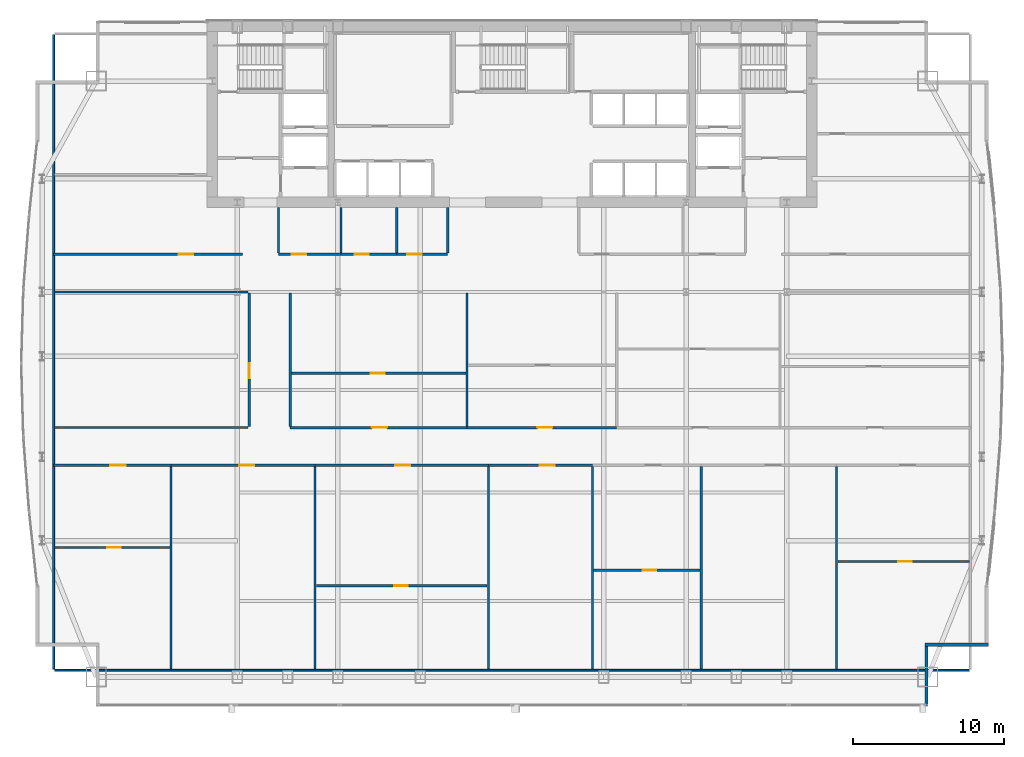
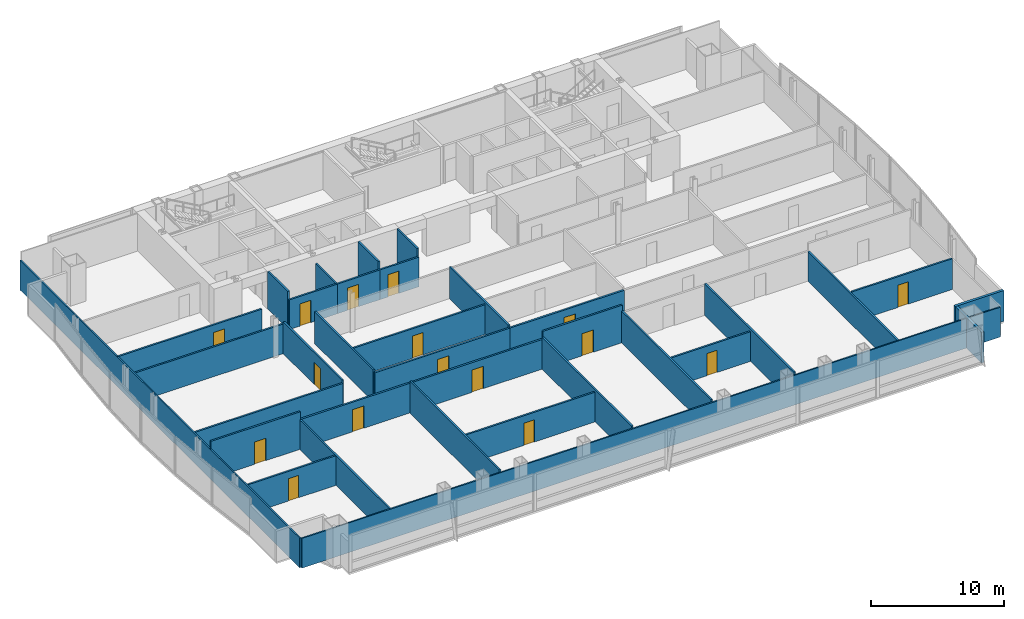
# One storey, part 24 of 29: 34 walls, 16 doors, 16 openings.
"""IFC4 building model written with IfcOpenShell, lengths in metres."""

import ifcopenshell
import ifcopenshell.guid

model = None  # the IFC model being written
_history = None  # IfcOwnerHistory: only IFC2X3 demands one
_inside = {}  # id of a spatial element -> (the spatial element, [elements in it])
_under = {}  # id of a project, library or spatial element -> (it, [spatial elements below it])
_declared = {}  # id of a project -> (the project, [libraries it declares])
_typed = {}  # id of a type object -> (the type object, [elements of that type])
_made_of = {}  # id of a material, layer set ... -> (it, [elements and type objects made of it])


def new_model(schema):
    """Start an empty IFC model of exactly this schema.

    Asked for "IFC4X3", IfcOpenShell would pick the latest addendum, in which some entities
    have other attributes; the version numbers below select the first issue.
    IFC2X3 requires an IfcOwnerHistory on every rooted entity: one is made here for all.
    """
    global model, _history
    if schema == "IFC4X3":
        model = ifcopenshell.file(schema_version=(4, 3, 0, 0))
    else:
        model = ifcopenshell.file(schema=schema)
    _inside.clear()
    _under.clear()
    _declared.clear()
    _typed.clear()
    _made_of.clear()
    _history = None
    if model.schema == "IFC2X3":
        org = make("IfcOrganization", Name="unknown")
        user = make(
            "IfcPersonAndOrganization",
            ThePerson=make("IfcPerson", FamilyName="unknown"),
            TheOrganization=org,
        )
        app = make(
            "IfcApplication",
            ApplicationDeveloper=org,
            Version="unknown",
            ApplicationFullName="unknown",
            ApplicationIdentifier="unknown",
        )
        _history = make(
            "IfcOwnerHistory",
            OwningUser=user,
            OwningApplication=app,
            ChangeAction="ADDED",
            CreationDate=0,
        )
    return model


def make(cls, **values):
    """One entity of the class cls with the attributes given. An attribute that is None is left unset."""
    return model.create_entity(
        cls, **{name: value for name, value in values.items() if value is not None}
    )


def rooted(cls, **values):
    """An entity with a GlobalId (a new one), such as an element, a storey or a relation."""
    return make(cls, GlobalId=ifcopenshell.guid.new(), OwnerHistory=_history, **values)


def si_unit(unit_type, name, prefix=None):
    """IfcSIUnit, for example si_unit("LENGTHUNIT", "METRE", prefix="MILLI")."""
    return make("IfcSIUnit", UnitType=unit_type, Prefix=prefix, Name=name)


def assignment(units):
    """IfcUnitAssignment: the units of a project."""
    return None if units is None else make("IfcUnitAssignment", Units=units)


def point(xyz):
    """IfcCartesianPoint."""
    return None if xyz is None else make("IfcCartesianPoint", Coordinates=xyz)


def direction(xyz):
    """IfcDirection."""
    return None if xyz is None else make("IfcDirection", DirectionRatios=xyz)


def frame(location, z_axis=None, x_axis=None):
    """IfcAxis2Placement3D, a coordinate frame: its origin and axes. An axis left out is left unset."""
    return make(
        "IfcAxis2Placement3D",
        Location=point(location),
        Axis=direction(z_axis),
        RefDirection=direction(x_axis),
    )


def frame_2d(location, x_axis=None):
    """IfcAxis2Placement2D, a coordinate frame in the plane: its origin and x axis."""
    return make(
        "IfcAxis2Placement2D", Location=point(location), RefDirection=direction(x_axis)
    )


def origin():
    """The frame at (0, 0, 0) with its axes left unset."""
    return frame((0.0, 0.0, 0.0))


def place(relative_to, where):
    """IfcLocalPlacement: puts the frame where relative to a parent placement (None: the world)."""
    return make(
        "IfcLocalPlacement", PlacementRelTo=relative_to, RelativePlacement=where
    )


def context(
    kind, dimensions, precision=None, world=None, true_north=None, identifier=None
):
    """IfcGeometricRepresentationContext, for example the 3D "Model" context."""
    return make(
        "IfcGeometricRepresentationContext",
        ContextIdentifier=identifier,
        ContextType=kind,
        CoordinateSpaceDimension=dimensions,
        Precision=precision,
        WorldCoordinateSystem=world,
        TrueNorth=true_north,
    )


def subcontext(parent, identifier, kind, view, scale=None):
    """IfcGeometricRepresentationSubContext, for example "Body" below "Model"."""
    return make(
        "IfcGeometricRepresentationSubContext",
        ContextIdentifier=identifier,
        ContextType=kind,
        ParentContext=parent,
        TargetScale=scale,
        TargetView=view,
    )


def project(units=None, contexts=None):
    """IfcProject with its units and contexts."""
    return rooted(
        "IfcProject",
        Name="project",
        RepresentationContexts=contexts,
        UnitsInContext=assignment(units),
    )


def spatial(cls, under=None, at=None, **own):
    """A site, building, storey or space (cls), placed at a placement, below another one or the project."""
    s = rooted(cls, ObjectPlacement=at, **own)
    if under is not None:
        _under.setdefault(under.id(), (under, []))[1].append(s)
    return s


def profile(cls, at=None, kind="AREA", **sizes):
    """A parametric profile (cls). Its sizes go by their IFC names, for example OverallWidth=200.0."""
    return make(cls, ProfileType=kind, Position=at, **sizes)


def rectangle(**sizes):
    """IfcRectangleProfileDef."""
    return profile("IfcRectangleProfileDef", **sizes)


def extrude(swept, where, along, depth):
    """IfcExtrudedAreaSolid: the profile swept, set in the frame where, extruded along a direction by depth."""
    return make(
        "IfcExtrudedAreaSolid",
        SweptArea=swept,
        Position=where,
        ExtrudedDirection=direction(along),
        Depth=depth,
    )


def shape(context_of_items, identifier, shape_type, items):
    """IfcShapeRepresentation: the items that make up one representation, for example the "Body"."""
    return make(
        "IfcShapeRepresentation",
        ContextOfItems=context_of_items,
        RepresentationIdentifier=identifier,
        RepresentationType=shape_type,
        Items=items,
    )


def material(Name=None, Category=None):
    """IfcMaterial."""
    return make("IfcMaterial", Name=Name, Category=Category)


def layer(
    of_material, thickness, ventilated=None, Name=None, Category=None, Priority=None
):
    """IfcMaterialLayer: one layer of a wall or slab, of a material (None: an air gap)."""
    return make(
        "IfcMaterialLayer",
        Material=of_material,
        LayerThickness=thickness,
        IsVentilated=ventilated,
        Name=Name,
        Category=Category,
        Priority=Priority,
    )


def layer_set(layers, Name=None):
    """IfcMaterialLayerSet."""
    return make("IfcMaterialLayerSet", MaterialLayers=layers, LayerSetName=Name)


def made_of(thing, what):
    """Note that an element or type object is made of a material, layer set ...; save() writes the relation."""
    if what is not None:
        _made_of.setdefault(what.id(), (what, []))[1].append(thing)
    return thing


def type_object(cls, material=None, **own):
    """A type object (cls), such as IfcWallType, which elements share."""
    return made_of(rooted(cls, **own), material)


def element(
    cls,
    number,
    at=None,
    inside=None,
    cuts=None,
    type_object=None,
    material=None,
    context=None,
    identifier="Body",
    shape_type=None,
    held_by="IfcProductDefinitionShape",
    body=None,
    shapes=None,
    **own,
):
    """One element of the class cls, such as IfcWall. Its Tag is "e" and its number.

    at: its placement. inside: the storey or other place that contains it. cuts: it is an
    opening in that element (IfcRelVoidsElement). A single representation is given by context,
    identifier, shape_type and body (its items); several are given by shapes. held_by: the class
    of the entity that holds the representations. save() writes the other relations.
    """
    e = rooted(cls, Tag="e%d" % number, ObjectPlacement=at, **own)
    if body is not None:
        shapes = [shape(context, identifier, shape_type, body)]
    if shapes is not None:
        e.Representation = make(held_by, Representations=shapes)
    if inside is not None:
        _inside.setdefault(inside.id(), (inside, []))[1].append(e)
    if cuts is not None:
        rooted(
            "IfcRelVoidsElement", RelatingBuildingElement=cuts, RelatedOpeningElement=e
        )
    if type_object is not None:
        _typed.setdefault(type_object.id(), (type_object, []))[1].append(e)
    return made_of(e, material)


def fill(opening, filler):
    """IfcRelFillsElement: the door or window that sits in an opening."""
    return rooted(
        "IfcRelFillsElement",
        RelatingOpeningElement=opening,
        RelatedBuildingElement=filler,
    )


def aggregate(whole, parts):
    """IfcRelAggregates: a whole, such as a stair, and the parts it consists of."""
    return rooted("IfcRelAggregates", RelatingObject=whole, RelatedObjects=parts)


def save(model, path):
    """Write the relations noted so far, then the file.

    IfcRelAggregates (storeys below a building ...), IfcRelContainedInSpatialStructure (elements
    in a storey), IfcRelDefinesByType, IfcRelAssociatesMaterial and IfcRelDeclares: one each for
    every whole, place, type object, material and project.
    """
    for whole, parts in _under.values():
        aggregate(whole, parts)
    for where, things in _inside.values():
        rooted(
            "IfcRelContainedInSpatialStructure",
            RelatedElements=things,
            RelatingStructure=where,
        )
    for kind, things in _typed.values():
        rooted("IfcRelDefinesByType", RelatedObjects=things, RelatingType=kind)
    for what, things in _made_of.values():
        rooted("IfcRelAssociatesMaterial", RelatedObjects=things, RelatingMaterial=what)
    for by, libraries in _declared.values():
        rooted("IfcRelDeclares", RelatingContext=by, RelatedDefinitions=libraries)
    model.write(path)


model = new_model("IFC4")

# Units and contexts
model_context = context("Model", 3, precision=1e-05, world=origin(), true_north=direction((0.0, 1.0)))
body_context = subcontext(model_context, "Body", "Model", "MODEL_VIEW")
ifc_project = project(units=[si_unit("LENGTHUNIT", "METRE"), si_unit("AREAUNIT", "SQUARE_METRE"), si_unit("VOLUMEUNIT", "CUBIC_METRE"), si_unit("PLANEANGLEUNIT", "RADIAN"), si_unit("MASSUNIT", "GRAM", prefix="KILO")], contexts=[model_context])

# Site, building, storey
site_placement = place(None, origin())
site = spatial("IfcSite", under=ifc_project, at=site_placement, CompositionType="ELEMENT")
building_placement = place(site_placement, origin())
building = spatial("IfcBuilding", under=site, at=building_placement, Name="Khoronbel Lancet Exchange", CompositionType="ELEMENT")
storey_placement = place(building_placement, frame((0.0, 0.0, 139.800048828125)))
storey = spatial("IfcBuildingStorey", under=building, at=storey_placement, Name="L34", CompositionType="ELEMENT", Elevation=139.800048828125)

# Walls
ifc_material_1 = material(Name="Precast concrete C40/50", Category="concrete")
ifc_layer_1 = layer(ifc_material_1, 0.25, Name="Precast concrete C40/50")
ifc_layer_set_1 = layer_set([ifc_layer_1], Name="Precast concrete C40/50")
wall_type_1 = type_object("IfcWallType", Name="WL-EXT250", PredefinedType="SOLIDWALL", material=ifc_layer_set_1)
wall_1_placement = place(storey_placement, frame((68.070068359375, 12.2900390625, 0.0), z_axis=(0.0, 0.0, 1.0), x_axis=(-1.0, 0.0, 0.0)))
element("IfcWall", 1, at=wall_1_placement, inside=storey, type_object=wall_type_1, Name="Level L34 notched-corner limestone pier 24", PredefinedType="SOLIDWALL", context=body_context, shape_type="SweptSolid", body=[
    extrude(rectangle(XDim=4.219970703125, YDim=0.219970703125, at=frame_2d((2.10986328125, 0.0))), origin(), (0.0, 0.0, 1.0), 2.829833984375),
])
wall_2_placement = place(storey_placement, frame((63.9599609375, 12.179931640625, 0.0), z_axis=(0.0, 0.0, 1.0), x_axis=(0.0, -1.0, 0.0)))
element("IfcWall", 2, at=wall_2_placement, inside=storey, type_object=wall_type_1, Name="Level L34 notched-corner limestone pier 25", PredefinedType="SOLIDWALL", context=body_context, shape_type="SweptSolid", body=[
    extrude(rectangle(XDim=3.909912109375, YDim=0.219970703125, at=frame_2d((1.955078125, 0.0))), origin(), (0.0, 0.0, 1.0), 2.829833984375),
])
ifc_material_2 = material(Name="Acoustic Metal-Stud & Mineral-Wool Gypsum Partition 120 mm", Category="gypsum")
ifc_layer_2 = layer(ifc_material_2, 0.1201171875, Name="Acoustic Metal-Stud & Mineral-Wool Gypsum Partition 120 mm")
ifc_layer_set_2 = layer_set([ifc_layer_2], Name="Acoustic Metal-Stud & Mineral-Wool Gypsum Partition 120 mm")
wall_type_2 = type_object("IfcWallType", Name="WL-PRT120", PredefinedType="PARTITIONING", material=ifc_layer_set_2)
wall_3_placement = place(storey_placement, frame((20.949951171875, 38.280029296875, 0.0), z_axis=(0.0, 0.0, 1.0), x_axis=(0.0, 1.0, 0.0)))
element("IfcWall", 3, at=wall_3_placement, inside=storey, type_object=wall_type_2, Name="Level L34 interior partition PW-WC-0", PredefinedType="PARTITIONING", context=body_context, shape_type="SweptSolid", body=[
    extrude(rectangle(XDim=3.02001953125, YDim=0.14990234375, at=frame_2d((1.510009765625, 0.0))), origin(), (0.0, 0.0, 1.0), 3.43994140625),
])
wall_4_placement = place(storey_placement, frame((25.10009765625, 38.280029296875, 0.0), z_axis=(0.0, 0.0, 1.0), x_axis=(0.0, 1.0, 0.0)))
element("IfcWall", 4, at=wall_4_placement, inside=storey, type_object=wall_type_2, Name="Level L34 interior partition PW-WC-1", PredefinedType="PARTITIONING", context=body_context, shape_type="SweptSolid", body=[
    extrude(rectangle(XDim=3.02001953125, YDim=0.14990234375, at=frame_2d((1.510009765625, 0.0))), origin(), (0.0, 0.0, 1.0), 2.72998046875),
])
for number, where, z_axis, x_axis, name in (
    (5, (28.800048828125, 38.280029296875, 0.0), (0.0, 0.0, 1.0), (0.0, 1.0, 0.0), "Level L34 interior partition PW-WC-2"),
    (6, (32.179931640625, 38.280029296875, 0.0), (0.0, 0.0, 1.0), (0.0, 1.0, 0.0), "Level L34 interior partition PW-WC-3"),
):
    element("IfcWall", number, at=place(storey_placement, frame(where, z_axis=z_axis, x_axis=x_axis)), inside=storey, type_object=wall_type_2, Name=name, PredefinedType="PARTITIONING", context=body_context, shape_type="SweptSolid", body=[
        extrude(rectangle(XDim=3.02001953125, YDim=0.14990234375, at=frame_2d((1.510009765625, 0.0))), origin(), (0.0, 0.0, 1.0), 3.43994140625),
    ])

# Wall, opening, door
wall_5_placement = place(storey_placement, frame((6.094970703125, 18.7470703125, 0.0), z_axis=(0.0, 0.0, 1.0), x_axis=(1.0, 0.0, 0.0)))
wall_5 = element("IfcWall", 7, at=wall_5_placement, inside=storey, type_object=wall_type_2, Name="Level L34 interior partition PW-Z2S-H1", PredefinedType="PARTITIONING", context=body_context, shape_type="SweptSolid", body=[
    extrude(rectangle(XDim=7.644287109375, YDim=0.14990234375, at=frame_2d((3.822265625, 0.0))), origin(), (0.0, 0.0, 1.0), 2.72998046875),
])
opening_1_placement = place(wall_5_placement, frame((3.505126953125, 0.0, 0.0)))
opening_1 = element("IfcOpeningElement", 8, at=opening_1_placement, cuts=wall_5, Name="Opening D5", PredefinedType="OPENING", context=body_context, shape_type="SweptSolid", body=[
    extrude(rectangle(XDim=0.89990234375, YDim=2.050048828125, at=frame_2d((0.449951171875, 1.02490234375))), frame((0.0, 0.0849609375, 0.0), z_axis=(0.0, -1.0, 0.0), x_axis=(1.0, 0.0, 0.0)), (0.0, 0.0, 1.0), 0.169921875),
])
ifc_material_3 = material(Name="Acoustic Timber Pantry & Support Door", Category="wood")
door_type_1 = type_object("IfcDoorType", Name="DR-D5", OperationType="NOTDEFINED", PredefinedType="DOOR", material=ifc_material_3)
door_1_placement = place(opening_1_placement, origin())
door_1 = element("IfcDoor", 9, at=door_1_placement, inside=storey, type_object=door_type_1, Name="Z2S inner door 1 L34-1", OperationType="SINGLE_SWING_RIGHT", OverallHeight=2.050048828125, OverallWidth=0.89990234375, PredefinedType="DOOR", context=body_context, shape_type="SweptSolid", body=[
    extrude(rectangle(XDim=0.89990234375, YDim=2.050048828125, at=frame_2d((0.449951171875, 1.02490234375))), frame((0.0, 0.02490234375, 0.0), z_axis=(0.0, -1.0, 0.0), x_axis=(1.0, 0.0, 0.0)), (0.0, 0.0, 1.0), 0.050048828125),
])
fill(opening_1, door_1)

wall_6_placement = place(storey_placement, frame((23.4619140625, 16.207275390625, 0.0), z_axis=(0.0, 0.0, 1.0), x_axis=(1.0, 0.0, 0.0)))
wall_6 = element("IfcWall", 10, at=wall_6_placement, inside=storey, type_object=wall_type_2, Name="Level L34 interior partition PW-Z2S-H3", PredefinedType="PARTITIONING", context=body_context, shape_type="SweptSolid", body=[
    extrude(rectangle(XDim=11.34423828125, YDim=0.14990234375, at=frame_2d((5.672119140625, 0.0))), origin(), (0.0, 0.0, 1.0), 2.72998046875),
])
opening_2_placement = place(wall_6_placement, frame((5.177001953125, 0.0, 0.0)))
opening_2 = element("IfcOpeningElement", 11, at=opening_2_placement, cuts=wall_6, Name="Opening D5", PredefinedType="OPENING", context=body_context, shape_type="SweptSolid", body=[
    extrude(rectangle(XDim=0.89990234375, YDim=2.050048828125, at=frame_2d((0.449951171875, 1.02490234375))), frame((0.0, 0.0849609375, 0.0), z_axis=(0.0, -1.0, 0.0), x_axis=(1.0, 0.0, 0.0)), (0.0, 0.0, 1.0), 0.169921875),
])
door_2_placement = place(opening_2_placement, origin())
door_2 = element("IfcDoor", 12, at=door_2_placement, inside=storey, type_object=door_type_1, Name="Z2S inner door 3 L34-1", OperationType="SINGLE_SWING_LEFT", OverallHeight=2.050048828125, OverallWidth=0.89990234375, PredefinedType="DOOR", context=body_context, shape_type="SweptSolid", body=[
    extrude(rectangle(XDim=0.89990234375, YDim=2.050048828125, at=frame_2d((0.449951171875, 1.02490234375))), frame((0.0, 0.02490234375, 0.0), z_axis=(0.0, -1.0, 0.0), x_axis=(1.0, 0.0, 0.0)), (0.0, 0.0, 1.0), 0.050048828125),
])
fill(opening_2, door_2)

wall_7_placement = place(storey_placement, frame((41.86865234375, 17.237548828125, 0.0), z_axis=(0.0, 0.0, 1.0), x_axis=(1.0, 0.0, 0.0)))
wall_7 = element("IfcWall", 13, at=wall_7_placement, inside=storey, type_object=wall_type_2, Name="Level L34 interior partition PW-Z2S-H5", PredefinedType="PARTITIONING", context=body_context, shape_type="SweptSolid", body=[
    extrude(rectangle(XDim=7.053955078125, YDim=0.14990234375, at=frame_2d((3.52685546875, 0.0))), origin(), (0.0, 0.0, 1.0), 2.72998046875),
])
opening_3_placement = place(wall_7_placement, frame((3.246337890625, 0.0, 0.0)))
opening_3 = element("IfcOpeningElement", 14, at=opening_3_placement, cuts=wall_7, Name="Opening D5", PredefinedType="OPENING", context=body_context, shape_type="SweptSolid", body=[
    extrude(rectangle(XDim=0.89990234375, YDim=2.050048828125, at=frame_2d((0.449951171875, 1.02490234375))), frame((0.0, 0.0849609375, 0.0), z_axis=(0.0, -1.0, 0.0), x_axis=(1.0, 0.0, 0.0)), (0.0, 0.0, 1.0), 0.169921875),
])
door_3_placement = place(opening_3_placement, origin())
door_3 = element("IfcDoor", 15, at=door_3_placement, inside=storey, type_object=door_type_1, Name="Z2S inner door 5 L34-1", OperationType="SINGLE_SWING_RIGHT", OverallHeight=2.050048828125, OverallWidth=0.89990234375, PredefinedType="DOOR", context=body_context, shape_type="SweptSolid", body=[
    extrude(rectangle(XDim=0.89990234375, YDim=2.050048828125, at=frame_2d((0.449951171875, 1.02490234375))), frame((0.0, 0.02490234375, 0.0), z_axis=(0.0, -1.0, 0.0), x_axis=(1.0, 0.0, 0.0)), (0.0, 0.0, 1.0), 0.050048828125),
])
fill(opening_3, door_3)

wall_8_placement = place(storey_placement, frame((58.0703125, 17.81103515625, 0.0), z_axis=(0.0, 0.0, 1.0), x_axis=(1.0, 0.0, 0.0)))
wall_8 = element("IfcWall", 16, at=wall_8_placement, inside=storey, type_object=wall_type_2, Name="Level L34 interior partition PW-Z2S-H7", PredefinedType="PARTITIONING", context=body_context, shape_type="SweptSolid", body=[
    extrude(rectangle(XDim=8.734619140625, YDim=0.14990234375, at=frame_2d((4.3671875, 0.0))), origin(), (0.0, 0.0, 1.0), 2.829833984375),
])
opening_4_placement = place(wall_8_placement, frame((3.995849609375, 0.0, 0.0)))
opening_4 = element("IfcOpeningElement", 17, at=opening_4_placement, cuts=wall_8, Name="Opening D5", PredefinedType="OPENING", context=body_context, shape_type="SweptSolid", body=[
    extrude(rectangle(XDim=0.89990234375, YDim=2.050048828125, at=frame_2d((0.449951171875, 1.02490234375))), frame((0.0, 0.0849609375, 0.0), z_axis=(0.0, -1.0, 0.0), x_axis=(1.0, 0.0, 0.0)), (0.0, 0.0, 1.0), 0.169921875),
])
door_4_placement = place(opening_4_placement, origin())
door_4 = element("IfcDoor", 18, at=door_4_placement, inside=storey, type_object=door_type_1, Name="Z2S inner door 7 L34-1", OperationType="SINGLE_SWING_LEFT", OverallHeight=2.050048828125, OverallWidth=0.89990234375, PredefinedType="DOOR", context=body_context, shape_type="SweptSolid", body=[
    extrude(rectangle(XDim=0.89990234375, YDim=2.050048828125, at=frame_2d((0.449951171875, 1.02490234375))), frame((0.0, 0.02490234375, 0.0), z_axis=(0.0, -1.0, 0.0), x_axis=(1.0, 0.0, 0.0)), (0.0, 0.0, 1.0), 0.050048828125),
])
fill(opening_4, door_4)

wall_9_placement = place(storey_placement, frame((21.81005859375, 30.300048828125, 0.0), z_axis=(0.0, 0.0, 1.0), x_axis=(1.0, 0.0, 0.0)))
wall_9 = element("IfcWall", 19, at=wall_9_placement, inside=storey, type_object=wall_type_2, Name="Level L34 interior partition PW-Z2N-H1", PredefinedType="PARTITIONING", context=body_context, shape_type="SweptSolid", body=[
    extrude(rectangle(XDim=11.576416015625, YDim=0.14990234375, at=frame_2d((5.7880859375, 0.0))), origin(), (0.0, 0.0, 1.0), 2.72998046875),
])
opening_5_placement = place(wall_9_placement, frame((5.281494140625, 0.0, 0.0)))
opening_5 = element("IfcOpeningElement", 20, at=opening_5_placement, cuts=wall_9, Name="Opening D5", PredefinedType="OPENING", context=body_context, shape_type="SweptSolid", body=[
    extrude(rectangle(XDim=0.89990234375, YDim=2.050048828125, at=frame_2d((0.449951171875, 1.02490234375))), frame((0.0, 0.0849609375, 0.0), z_axis=(0.0, -1.0, 0.0), x_axis=(1.0, 0.0, 0.0)), (0.0, 0.0, 1.0), 0.169921875),
])
door_5_placement = place(opening_5_placement, origin())
door_5 = element("IfcDoor", 21, at=door_5_placement, inside=storey, type_object=door_type_1, Name="Z2N inner door 1 L34-1", OperationType="SINGLE_SWING_RIGHT", OverallHeight=2.050048828125, OverallWidth=0.89990234375, PredefinedType="DOOR", context=body_context, shape_type="SweptSolid", body=[
    extrude(rectangle(XDim=0.89990234375, YDim=2.050048828125, at=frame_2d((0.449951171875, 1.02490234375))), frame((0.0, 0.02490234375, 0.0), z_axis=(0.0, -1.0, 0.0), x_axis=(1.0, 0.0, 0.0)), (0.0, 0.0, 1.0), 0.050048828125),
])
fill(opening_5, door_5)

# Walls
wall_10_placement = place(storey_placement, frame((6.030029296875, 10.6650390625, 0.0), z_axis=(0.0, 0.0, 1.0), x_axis=(0.0, 1.0, 0.0)))
element("IfcWall", 22, at=wall_10_placement, inside=storey, type_object=wall_type_2, Name="Level L34 interior partition PW-LIN-W", PredefinedType="PARTITIONING", context=body_context, shape_type="SweptSolid", body=[
    extrude(rectangle(XDim=42.10986328125, YDim=0.1201171875, at=frame_2d((21.054931640625, 0.0))), origin(), (0.0, 0.0, 1.0), 2.72998046875),
])
wall_11_placement = place(storey_placement, frame((6.094970703125, 10.60009765625, 0.0), z_axis=(0.0, 0.0, 1.0), x_axis=(1.0, 0.0, 0.0)))
element("IfcWall", 23, at=wall_11_placement, inside=storey, type_object=wall_type_2, Name="Level L34 interior partition PW-LIN-S", PredefinedType="PARTITIONING", context=body_context, shape_type="SweptSolid", body=[
    extrude(rectangle(XDim=60.7099609375, YDim=0.1201171875, at=frame_2d((30.35498046875, 0.0))), origin(), (0.0, 0.0, 1.0), 2.72998046875),
])

# Wall, opening, door
ifc_material_4 = material(Name="Fire-Rated Twin-Stud Acoustic Gypsum Partition 150 mm", Category="gypsum")
ifc_layer_3 = layer(ifc_material_4, 0.14990234375, Name="Fire-Rated Twin-Stud Acoustic Gypsum Partition 150 mm")
ifc_layer_set_3 = layer_set([ifc_layer_3], Name="Fire-Rated Twin-Stud Acoustic Gypsum Partition 150 mm")
wall_type_3 = type_object("IfcWallType", Name="WL-PRT150C", PredefinedType="PARTITIONING", material=ifc_layer_set_3)
wall_12_placement = place(storey_placement, frame((20.949951171875, 38.199951171875, 0.0), z_axis=(0.0, 0.0, 1.0), x_axis=(1.0, 0.0, 0.0)))
wall_12 = element("IfcWall", 24, at=wall_12_placement, inside=storey, type_object=wall_type_3, Name="Level L34 interior partition PW-WC-S1", PredefinedType="PARTITIONING", context=body_context, shape_type="SweptSolid", body=[
    extrude(rectangle(XDim=4.150146484375, YDim=0.14990234375, at=frame_2d((2.0751953125, 0.0))), origin(), (0.0, 0.0, 1.0), 2.72998046875),
])
opening_6_placement = place(wall_12_placement, frame((0.89990234375, 0.0, 0.0)))
opening_6 = element("IfcOpeningElement", 25, at=opening_6_placement, cuts=wall_12, Name="Opening D4", PredefinedType="OPENING", context=body_context, shape_type="SweptSolid", body=[
    extrude(rectangle(XDim=0.949951171875, YDim=2.050048828125, at=frame_2d((0.47509765625, 1.02490234375))), frame((0.0, 0.0849609375, 0.0), z_axis=(0.0, -1.0, 0.0), x_axis=(1.0, 0.0, 0.0)), (0.0, 0.0, 1.0), 0.169921875),
])
ifc_material_5 = material(Name="Moisture-Resistant HPL Washroom Door", Category="wood")
door_type_2 = type_object("IfcDoorType", Name="DR-D4", OperationType="NOTDEFINED", PredefinedType="DOOR", material=ifc_material_5)
door_6_placement = place(opening_6_placement, origin())
door_6 = element("IfcDoor", 26, at=door_6_placement, inside=storey, type_object=door_type_2, Name="Male washroom door L34-1", OperationType="SINGLE_SWING_RIGHT", OverallHeight=2.050048828125, OverallWidth=0.949951171875, PredefinedType="DOOR", context=body_context, shape_type="SweptSolid", body=[
    extrude(rectangle(XDim=0.949951171875, YDim=2.050048828125, at=frame_2d((0.47509765625, 1.02490234375))), frame((0.0, 0.02490234375, 0.0), z_axis=(0.0, -1.0, 0.0), x_axis=(1.0, 0.0, 0.0)), (0.0, 0.0, 1.0), 0.050048828125),
])
fill(opening_6, door_6)

wall_13_placement = place(storey_placement, frame((25.10009765625, 38.199951171875, 0.0), z_axis=(0.0, 0.0, 1.0), x_axis=(1.0, 0.0, 0.0)))
wall_13 = element("IfcWall", 27, at=wall_13_placement, inside=storey, type_object=wall_type_3, Name="Level L34 interior partition PW-WC-S2", PredefinedType="PARTITIONING", context=body_context, shape_type="SweptSolid", body=[
    extrude(rectangle(XDim=3.699951171875, YDim=0.14990234375, at=frame_2d((1.85009765625, 0.0))), origin(), (0.0, 0.0, 1.0), 2.72998046875),
])
opening_7_placement = place(wall_13_placement, frame((0.89990234375, 0.0, 0.0)))
opening_7 = element("IfcOpeningElement", 28, at=opening_7_placement, cuts=wall_13, Name="Opening D4", PredefinedType="OPENING", context=body_context, shape_type="SweptSolid", body=[
    extrude(rectangle(XDim=0.949951171875, YDim=2.050048828125, at=frame_2d((0.47509765625, 1.02490234375))), frame((0.0, 0.0849609375, 0.0), z_axis=(0.0, -1.0, 0.0), x_axis=(1.0, 0.0, 0.0)), (0.0, 0.0, 1.0), 0.169921875),
])
door_7_placement = place(opening_7_placement, origin())
door_7 = element("IfcDoor", 29, at=door_7_placement, inside=storey, type_object=door_type_2, Name="Female washroom door L34-1", OperationType="SINGLE_SWING_LEFT", OverallHeight=2.050048828125, OverallWidth=0.949951171875, PredefinedType="DOOR", context=body_context, shape_type="SweptSolid", body=[
    extrude(rectangle(XDim=0.949951171875, YDim=2.050048828125, at=frame_2d((0.47509765625, 1.02490234375))), frame((0.0, 0.02490234375, 0.0), z_axis=(0.0, -1.0, 0.0), x_axis=(1.0, 0.0, 0.0)), (0.0, 0.0, 1.0), 0.050048828125),
])
fill(opening_7, door_7)

wall_14_placement = place(storey_placement, frame((28.800048828125, 38.199951171875, 0.0), z_axis=(0.0, 0.0, 1.0), x_axis=(1.0, 0.0, 0.0)))
wall_14 = element("IfcWall", 30, at=wall_14_placement, inside=storey, type_object=wall_type_3, Name="Level L34 interior partition PW-WC-S3", PredefinedType="PARTITIONING", context=body_context, shape_type="SweptSolid", body=[
    extrude(rectangle(XDim=3.3798828125, YDim=0.14990234375, at=frame_2d((1.68994140625, 0.0))), origin(), (0.0, 0.0, 1.0), 2.72998046875),
])
opening_8_placement = place(wall_14_placement, frame((0.699951171875, 0.0, 0.0)))
opening_8 = element("IfcOpeningElement", 31, at=opening_8_placement, cuts=wall_14, Name="Opening D4", PredefinedType="OPENING", context=body_context, shape_type="SweptSolid", body=[
    extrude(rectangle(XDim=0.949951171875, YDim=2.050048828125, at=frame_2d((0.47509765625, 1.02490234375))), frame((0.0, 0.0849609375, 0.0), z_axis=(0.0, -1.0, 0.0), x_axis=(1.0, 0.0, 0.0)), (0.0, 0.0, 1.0), 0.169921875),
])
door_8_placement = place(opening_8_placement, origin())
door_8 = element("IfcDoor", 32, at=door_8_placement, inside=storey, type_object=door_type_2, Name="Accessible WC door L34-1", OperationType="SINGLE_SWING_RIGHT", OverallHeight=2.050048828125, OverallWidth=0.949951171875, PredefinedType="DOOR", context=body_context, shape_type="SweptSolid", body=[
    extrude(rectangle(XDim=0.949951171875, YDim=2.050048828125, at=frame_2d((0.47509765625, 1.02490234375))), frame((0.0, 0.02490234375, 0.0), z_axis=(0.0, -1.0, 0.0), x_axis=(1.0, 0.0, 0.0)), (0.0, 0.0, 1.0), 0.050048828125),
])
fill(opening_8, door_8)

wall_15_placement = place(storey_placement, frame((6.030029296875, 38.199951171875, 0.0), z_axis=(0.0, 0.0, 1.0), x_axis=(1.0, 0.0, 0.0)))
wall_15 = element("IfcWall", 33, at=wall_15_placement, inside=storey, type_object=wall_type_3, Name="Level L34 interior partition PW-NW-S", PredefinedType="PARTITIONING", context=body_context, shape_type="SweptSolid", body=[
    extrude(rectangle(XDim=12.52001953125, YDim=0.14990234375, at=frame_2d((6.260009765625, 0.0))), origin(), (0.0, 0.0, 1.0), 2.72998046875),
])
opening_9_placement = place(wall_15_placement, frame((8.320068359375, 0.0, 0.0)))
opening_9 = element("IfcOpeningElement", 34, at=opening_9_placement, cuts=wall_15, Name="Opening D1", PredefinedType="OPENING", context=body_context, shape_type="SweptSolid", body=[
    extrude(rectangle(XDim=0.949951171875, YDim=2.050048828125, at=frame_2d((0.47509765625, 1.02490234375))), frame((0.0, 0.0849609375, 0.0), z_axis=(0.0, -1.0, 0.0), x_axis=(1.0, 0.0, 0.0)), (0.0, 0.0, 1.0), 0.169921875),
])
ifc_material_6 = material(Name="Acoustic Veneered Timber & Bronze Frame Door", Category="wood")
door_type_3 = type_object("IfcDoorType", Name="DR-D1", OperationType="NOTDEFINED", PredefinedType="DOOR", material=ifc_material_6)
door_9_placement = place(opening_9_placement, origin())
door_9 = element("IfcDoor", 35, at=door_9_placement, inside=storey, type_object=door_type_3, Name="NW corner room door L34-1", OperationType="SINGLE_SWING_LEFT", OverallHeight=2.050048828125, OverallWidth=0.949951171875, PredefinedType="DOOR", context=body_context, shape_type="SweptSolid", body=[
    extrude(rectangle(XDim=0.949951171875, YDim=2.050048828125, at=frame_2d((0.47509765625, 1.02490234375))), frame((0.0, 0.02490234375, 0.0), z_axis=(0.0, -1.0, 0.0), x_axis=(1.0, 0.0, 0.0)), (0.0, 0.0, 1.0), 0.050048828125),
])
fill(opening_9, door_9)

# Walls
wall_16_placement = place(storey_placement, frame((13.819091796875, 10.6650390625, 0.0), z_axis=(0.0, 0.0, 1.0), x_axis=(0.0, 1.0, 0.0)))
element("IfcWall", 36, at=wall_16_placement, inside=storey, type_object=wall_type_3, Name="Level L34 interior partition PW-Z2S-V1", PredefinedType="PARTITIONING", context=body_context, shape_type="SweptSolid", body=[
    extrude(rectangle(XDim=13.449951171875, YDim=0.14990234375, at=frame_2d((6.72509765625, 0.0))), origin(), (0.0, 0.0, 1.0), 2.72998046875),
])
for number, where, z_axis, x_axis, name in (
    (37, (23.382080078125, 10.6650390625, 0.0), (0.0, 0.0, 1.0), (0.0, 1.0, 0.0), "Level L34 interior partition PW-Z2S-V2"),
    (38, (34.88623046875, 10.6650390625, 0.0), (0.0, 0.0, 1.0), (0.0, 1.0, 0.0), "Level L34 interior partition PW-Z2S-V3"),
    (39, (41.78857421875, 10.6650390625, 0.0), (0.0, 0.0, 1.0), (0.0, 1.0, 0.0), "Level L34 interior partition PW-Z2S-V4"),
    (40, (49.002685546875, 10.6650390625, 0.0), (0.0, 0.0, 1.0), (0.0, 1.0, 0.0), "Level L34 interior partition PW-Z2S-V5"),
):
    element("IfcWall", number, at=place(storey_placement, frame(where, z_axis=z_axis, x_axis=x_axis)), inside=storey, type_object=wall_type_3, Name=name, PredefinedType="PARTITIONING", context=body_context, shape_type="SweptSolid", body=[
        extrude(rectangle(XDim=13.449951171875, YDim=0.14990234375, at=frame_2d((6.72509765625, 0.0))), origin(), (0.0, 0.0, 1.0), 2.929931640625),
    ])
wall_17_placement = place(storey_placement, frame((57.990234375, 10.6650390625, 0.0), z_axis=(0.0, 0.0, 1.0), x_axis=(0.0, 1.0, 0.0)))
element("IfcWall", 41, at=wall_17_placement, inside=storey, type_object=wall_type_3, Name="Level L34 interior partition PW-Z2S-V6", PredefinedType="PARTITIONING", context=body_context, shape_type="SweptSolid", body=[
    extrude(rectangle(XDim=13.449951171875, YDim=0.14990234375, at=frame_2d((6.72509765625, 0.0))), origin(), (0.0, 0.0, 1.0), 2.72998046875),
])

# Wall, opening, door
wall_18_placement = place(storey_placement, frame((19.02001953125, 26.780029296875, 0.0), z_axis=(0.0, 0.0, 1.0), x_axis=(0.0, 1.0, 0.0)))
wall_18 = element("IfcWall", 42, at=wall_18_placement, inside=storey, type_object=wall_type_3, Name="Level L34 interior partition PW-Z2-WLK", PredefinedType="PARTITIONING", context=body_context, shape_type="SweptSolid", body=[
    extrude(rectangle(XDim=8.840087890625, YDim=0.14990234375, at=frame_2d((4.419921875, 0.0))), origin(), (0.0, 0.0, 1.0), 2.929931640625),
])
opening_10_placement = place(wall_18_placement, frame((3.199951171875, 0.0, 0.0)))
opening_10 = element("IfcOpeningElement", 43, at=opening_10_placement, cuts=wall_18, Name="Opening D2", PredefinedType="OPENING", context=body_context, shape_type="SweptSolid", body=[
    extrude(rectangle(XDim=1.0, YDim=2.050048828125, at=frame_2d((0.5, 1.02490234375))), frame((0.0, 0.0849609375, 0.0), z_axis=(0.0, -1.0, 0.0), x_axis=(1.0, 0.0, 0.0)), (0.0, 0.0, 1.0), 0.169921875),
])
door_type_4 = type_object("IfcDoorType", Name="DR-D2", OperationType="NOTDEFINED", PredefinedType="DOOR", material=ifc_material_6)
door_10_placement = place(opening_10_placement, origin())
door_10 = element("IfcDoor", 44, at=door_10_placement, inside=storey, type_object=door_type_4, Name="West mid-band room door L34-1", OperationType="SINGLE_SWING_RIGHT", OverallHeight=2.050048828125, OverallWidth=1.0, PredefinedType="DOOR", context=body_context, shape_type="SweptSolid", body=[
    extrude(rectangle(XDim=1.0, YDim=2.050048828125, at=frame_2d((0.5, 1.02490234375))), frame((0.0, 0.02490234375, 0.0), z_axis=(0.0, -1.0, 0.0), x_axis=(1.0, 0.0, 0.0)), (0.0, 0.0, 1.0), 0.050048828125),
])
fill(opening_10, door_10)

# Walls
for number, where, z_axis, x_axis, name in (
    (45, (6.094970703125, 26.699951171875, 0.0), (0.0, 0.0, 1.0), (1.0, 0.0, 0.0), "Level L34 interior partition PW-Z2-WS"),
    (46, (6.094970703125, 35.699951171875, 0.0), (0.0, 0.0, 1.0), (1.0, 0.0, 0.0), "Level L34 interior partition PW-Z2-WN"),
):
    element("IfcWall", number, at=place(storey_placement, frame(where, z_axis=z_axis, x_axis=x_axis)), inside=storey, type_object=wall_type_3, Name=name, PredefinedType="PARTITIONING", context=body_context, shape_type="SweptSolid", body=[
        extrude(rectangle(XDim=12.844970703125, YDim=0.14990234375, at=frame_2d((6.42236328125, 0.0))), origin(), (0.0, 0.0, 1.0), 2.72998046875),
    ])
for number, where, z_axis, x_axis, name in (
    (47, (21.72998046875, 26.784912109375, 0.0), (0.0, 0.0, 1.0), (0.0, 1.0, 0.0), "Level L34 interior partition PW-Z2-ELK"),
    (48, (33.46630859375, 26.784912109375, 0.0), (0.0, 0.0, 1.0), (0.0, 1.0, 0.0), "Level L34 interior partition PW-Z2N-V1"),
):
    element("IfcWall", number, at=place(storey_placement, frame(where, z_axis=z_axis, x_axis=x_axis)), inside=storey, type_object=wall_type_3, Name=name, PredefinedType="PARTITIONING", context=body_context, shape_type="SweptSolid", body=[
        extrude(rectangle(XDim=8.835205078125, YDim=0.14990234375, at=frame_2d((4.41748046875, 0.0))), origin(), (0.0, 0.0, 1.0), 2.929931640625),
    ])

# Wall, opening, door
ifc_material_7 = material(Name="Fire-Rated Twin-Stud Acoustic Gypsum Partition 160 mm", Category="gypsum")
ifc_layer_4 = layer(ifc_material_7, 0.159912109375, Name="Fire-Rated Twin-Stud Acoustic Gypsum Partition 160 mm")
ifc_layer_set_4 = layer_set([ifc_layer_4], Name="Fire-Rated Twin-Stud Acoustic Gypsum Partition 160 mm")
wall_type_4 = type_object("IfcWallType", Name="WL-PRT160C", PredefinedType="PARTITIONING", material=ifc_layer_set_4)
wall_19_placement = place(storey_placement, frame((6.030029296875, 24.199951171875, 0.0), z_axis=(0.0, 0.0, 1.0), x_axis=(1.0, 0.0, 0.0)))
wall_19 = element("IfcWall", 49, at=wall_19_placement, inside=storey, type_object=wall_type_4, Name="Level L34 interior partition PW-Z2S-COR1", PredefinedType="PARTITIONING", context=body_context, shape_type="SweptSolid", body=[
    extrude(rectangle(XDim=7.7890625, YDim=0.159912109375, at=frame_2d((3.89453125, 0.0))), origin(), (0.0, 0.0, 1.0), 3.43994140625),
])
opening_11_placement = place(wall_19_placement, frame((3.771484375, 0.0, 0.0)))
opening_11 = element("IfcOpeningElement", 50, at=opening_11_placement, cuts=wall_19, Name="Opening D2", PredefinedType="OPENING", context=body_context, shape_type="SweptSolid", body=[
    extrude(rectangle(XDim=1.0, YDim=2.050048828125, at=frame_2d((0.5, 1.02490234375))), frame((0.0, 0.08984375, 0.0), z_axis=(0.0, -1.0, 0.0), x_axis=(1.0, 0.0, 0.0)), (0.0, 0.0, 1.0), 0.179931640625),
])
door_11_placement = place(opening_11_placement, origin())
door_11 = element("IfcDoor", 51, at=door_11_placement, inside=storey, type_object=door_type_4, Name="Z2S bay 1 door L34-1", OperationType="SINGLE_SWING_LEFT", OverallHeight=2.050048828125, OverallWidth=1.0, PredefinedType="DOOR", context=body_context, shape_type="SweptSolid", body=[
    extrude(rectangle(XDim=1.0, YDim=2.050048828125, at=frame_2d((0.5, 1.02490234375))), frame((0.0, 0.02490234375, 0.0), z_axis=(0.0, -1.0, 0.0), x_axis=(1.0, 0.0, 0.0)), (0.0, 0.0, 1.0), 0.050048828125),
])
fill(opening_11, door_11)

wall_20_placement = place(storey_placement, frame((13.819091796875, 24.199951171875, 0.0), z_axis=(0.0, 0.0, 1.0), x_axis=(1.0, 0.0, 0.0)))
wall_20 = element("IfcWall", 52, at=wall_20_placement, inside=storey, type_object=wall_type_4, Name="Level L34 interior partition PW-Z2S-COR2", PredefinedType="PARTITIONING", context=body_context, shape_type="SweptSolid", body=[
    extrude(rectangle(XDim=9.56298828125, YDim=0.159912109375, at=frame_2d((4.781494140625, 0.0))), origin(), (0.0, 0.0, 1.0), 2.72998046875),
])
opening_12_placement = place(wall_20_placement, frame((4.516357421875, 0.0, 0.0)))
opening_12 = element("IfcOpeningElement", 53, at=opening_12_placement, cuts=wall_20, Name="Opening D2", PredefinedType="OPENING", context=body_context, shape_type="SweptSolid", body=[
    extrude(rectangle(XDim=1.0, YDim=2.050048828125, at=frame_2d((0.5, 1.02490234375))), frame((0.0, 0.08984375, 0.0), z_axis=(0.0, -1.0, 0.0), x_axis=(1.0, 0.0, 0.0)), (0.0, 0.0, 1.0), 0.179931640625),
])
door_12_placement = place(opening_12_placement, origin())
door_12 = element("IfcDoor", 54, at=door_12_placement, inside=storey, type_object=door_type_4, Name="Z2S bay 2 door L34-1", OperationType="SINGLE_SWING_LEFT", OverallHeight=2.050048828125, OverallWidth=1.0, PredefinedType="DOOR", context=body_context, shape_type="SweptSolid", body=[
    extrude(rectangle(XDim=1.0, YDim=2.050048828125, at=frame_2d((0.5, 1.02490234375))), frame((0.0, 0.02490234375, 0.0), z_axis=(0.0, -1.0, 0.0), x_axis=(1.0, 0.0, 0.0)), (0.0, 0.0, 1.0), 0.050048828125),
])
fill(opening_12, door_12)

wall_21_placement = place(storey_placement, frame((23.382080078125, 24.199951171875, 0.0), z_axis=(0.0, 0.0, 1.0), x_axis=(1.0, 0.0, 0.0)))
wall_21 = element("IfcWall", 55, at=wall_21_placement, inside=storey, type_object=wall_type_4, Name="Level L34 interior partition PW-Z2S-COR3", PredefinedType="PARTITIONING", context=body_context, shape_type="SweptSolid", body=[
    extrude(rectangle(XDim=11.504150390625, YDim=0.159912109375, at=frame_2d((5.751953125, 0.0))), origin(), (0.0, 0.0, 1.0), 2.72998046875),
])
opening_13_placement = place(wall_21_placement, frame((5.331787109375, 0.0, 0.0)))
opening_13 = element("IfcOpeningElement", 56, at=opening_13_placement, cuts=wall_21, Name="Opening D2", PredefinedType="OPENING", context=body_context, shape_type="SweptSolid", body=[
    extrude(rectangle(XDim=1.0, YDim=2.050048828125, at=frame_2d((0.5, 1.02490234375))), frame((0.0, 0.08984375, 0.0), z_axis=(0.0, -1.0, 0.0), x_axis=(1.0, 0.0, 0.0)), (0.0, 0.0, 1.0), 0.179931640625),
])
door_13_placement = place(opening_13_placement, origin())
door_13 = element("IfcDoor", 57, at=door_13_placement, inside=storey, type_object=door_type_4, Name="Z2S bay 3 door L34-1", OperationType="SINGLE_SWING_RIGHT", OverallHeight=2.050048828125, OverallWidth=1.0, PredefinedType="DOOR", context=body_context, shape_type="SweptSolid", body=[
    extrude(rectangle(XDim=1.0, YDim=2.050048828125, at=frame_2d((0.5, 1.02490234375))), frame((0.0, 0.02490234375, 0.0), z_axis=(0.0, -1.0, 0.0), x_axis=(1.0, 0.0, 0.0)), (0.0, 0.0, 1.0), 0.050048828125),
])
fill(opening_13, door_13)

wall_22_placement = place(storey_placement, frame((34.88623046875, 24.199951171875, 0.0), z_axis=(0.0, 0.0, 1.0), x_axis=(1.0, 0.0, 0.0)))
wall_22 = element("IfcWall", 58, at=wall_22_placement, inside=storey, type_object=wall_type_4, Name="Level L34 interior partition PW-Z2S-COR4", PredefinedType="PARTITIONING", context=body_context, shape_type="SweptSolid", body=[
    extrude(rectangle(XDim=6.90234375, YDim=0.159912109375, at=frame_2d((3.451171875, 0.0))), origin(), (0.0, 0.0, 1.0), 3.43994140625),
])
opening_14_placement = place(wall_22_placement, frame((3.39892578125, 0.0, 0.0)))
opening_14 = element("IfcOpeningElement", 59, at=opening_14_placement, cuts=wall_22, Name="Opening D2", PredefinedType="OPENING", context=body_context, shape_type="SweptSolid", body=[
    extrude(rectangle(XDim=1.0, YDim=2.050048828125, at=frame_2d((0.5, 1.02490234375))), frame((0.0, 0.08984375, 0.0), z_axis=(0.0, -1.0, 0.0), x_axis=(1.0, 0.0, 0.0)), (0.0, 0.0, 1.0), 0.179931640625),
])
door_14_placement = place(opening_14_placement, origin())
door_14 = element("IfcDoor", 60, at=door_14_placement, inside=storey, type_object=door_type_4, Name="Z2S bay 4 door L34-1", OperationType="SINGLE_SWING_RIGHT", OverallHeight=2.050048828125, OverallWidth=1.0, PredefinedType="DOOR", context=body_context, shape_type="SweptSolid", body=[
    extrude(rectangle(XDim=1.0, YDim=2.050048828125, at=frame_2d((0.5, 1.02490234375))), frame((0.0, 0.02490234375, 0.0), z_axis=(0.0, -1.0, 0.0), x_axis=(1.0, 0.0, 0.0)), (0.0, 0.0, 1.0), 0.050048828125),
])
fill(opening_14, door_14)

wall_23_placement = place(storey_placement, frame((21.72998046875, 26.699951171875, 0.0), z_axis=(0.0, 0.0, 1.0), x_axis=(1.0, 0.0, 0.0)))
wall_23 = element("IfcWall", 61, at=wall_23_placement, inside=storey, type_object=wall_type_4, Name="Level L34 interior partition PW-Z2N-COR1", PredefinedType="PARTITIONING", context=body_context, shape_type="SweptSolid", body=[
    extrude(rectangle(XDim=11.736328125, YDim=0.159912109375, at=frame_2d((5.8681640625, 0.0))), origin(), (0.0, 0.0, 1.0), 2.72998046875),
])
opening_15_placement = place(wall_23_placement, frame((5.42919921875, 0.0, 0.0)))
opening_15 = element("IfcOpeningElement", 62, at=opening_15_placement, cuts=wall_23, Name="Opening D2", PredefinedType="OPENING", context=body_context, shape_type="SweptSolid", body=[
    extrude(rectangle(XDim=1.0, YDim=2.050048828125, at=frame_2d((0.5, 1.02490234375))), frame((0.0, 0.08984375, 0.0), z_axis=(0.0, -1.0, 0.0), x_axis=(1.0, 0.0, 0.0)), (0.0, 0.0, 1.0), 0.179931640625),
])
door_15_placement = place(opening_15_placement, origin())
door_15 = element("IfcDoor", 63, at=door_15_placement, inside=storey, type_object=door_type_4, Name="Z2N bay 1 door L34-1", OperationType="SINGLE_SWING_LEFT", OverallHeight=2.050048828125, OverallWidth=1.0, PredefinedType="DOOR", context=body_context, shape_type="SweptSolid", body=[
    extrude(rectangle(XDim=1.0, YDim=2.050048828125, at=frame_2d((0.5, 1.02490234375))), frame((0.0, 0.02490234375, 0.0), z_axis=(0.0, -1.0, 0.0), x_axis=(1.0, 0.0, 0.0)), (0.0, 0.0, 1.0), 0.050048828125),
])
fill(opening_15, door_15)

wall_24_placement = place(storey_placement, frame((33.46630859375, 26.699951171875, 0.0), z_axis=(0.0, 0.0, 1.0), x_axis=(1.0, 0.0, 0.0)))
wall_24 = element("IfcWall", 64, at=wall_24_placement, inside=storey, type_object=wall_type_4, Name="Level L34 interior partition PW-Z2N-COR2", PredefinedType="PARTITIONING", context=body_context, shape_type="SweptSolid", body=[
    extrude(rectangle(XDim=9.930908203125, YDim=0.159912109375, at=frame_2d((4.96533203125, 0.0))), origin(), (0.0, 0.0, 1.0), 2.72998046875),
])
opening_16_placement = place(wall_24_placement, frame((4.6708984375, 0.0, 0.0)))
opening_16 = element("IfcOpeningElement", 65, at=opening_16_placement, cuts=wall_24, Name="Opening D2", PredefinedType="OPENING", context=body_context, shape_type="SweptSolid", body=[
    extrude(rectangle(XDim=1.0, YDim=2.050048828125, at=frame_2d((0.5, 1.02490234375))), frame((0.0, 0.08984375, 0.0), z_axis=(0.0, -1.0, 0.0), x_axis=(1.0, 0.0, 0.0)), (0.0, 0.0, 1.0), 0.179931640625),
])
door_16_placement = place(opening_16_placement, origin())
door_16 = element("IfcDoor", 66, at=door_16_placement, inside=storey, type_object=door_type_4, Name="Z2N bay 2 door L34-1", OperationType="SINGLE_SWING_LEFT", OverallHeight=2.050048828125, OverallWidth=1.0, PredefinedType="DOOR", context=body_context, shape_type="SweptSolid", body=[
    extrude(rectangle(XDim=1.0, YDim=2.050048828125, at=frame_2d((0.5, 1.02490234375))), frame((0.0, 0.02490234375, 0.0), z_axis=(0.0, -1.0, 0.0), x_axis=(1.0, 0.0, 0.0)), (0.0, 0.0, 1.0), 0.050048828125),
])
fill(opening_16, door_16)

save(model, "model.ifc")
